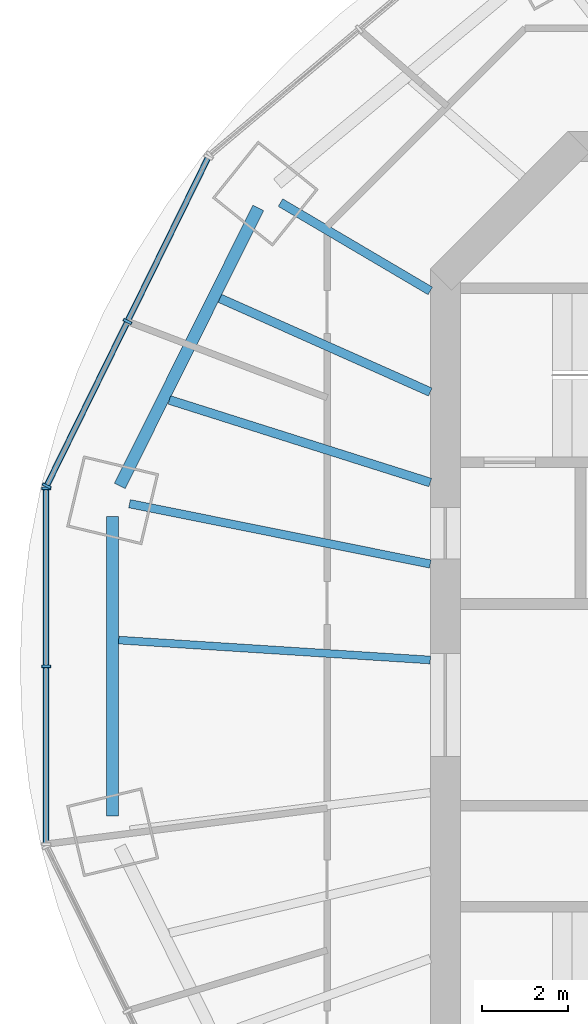
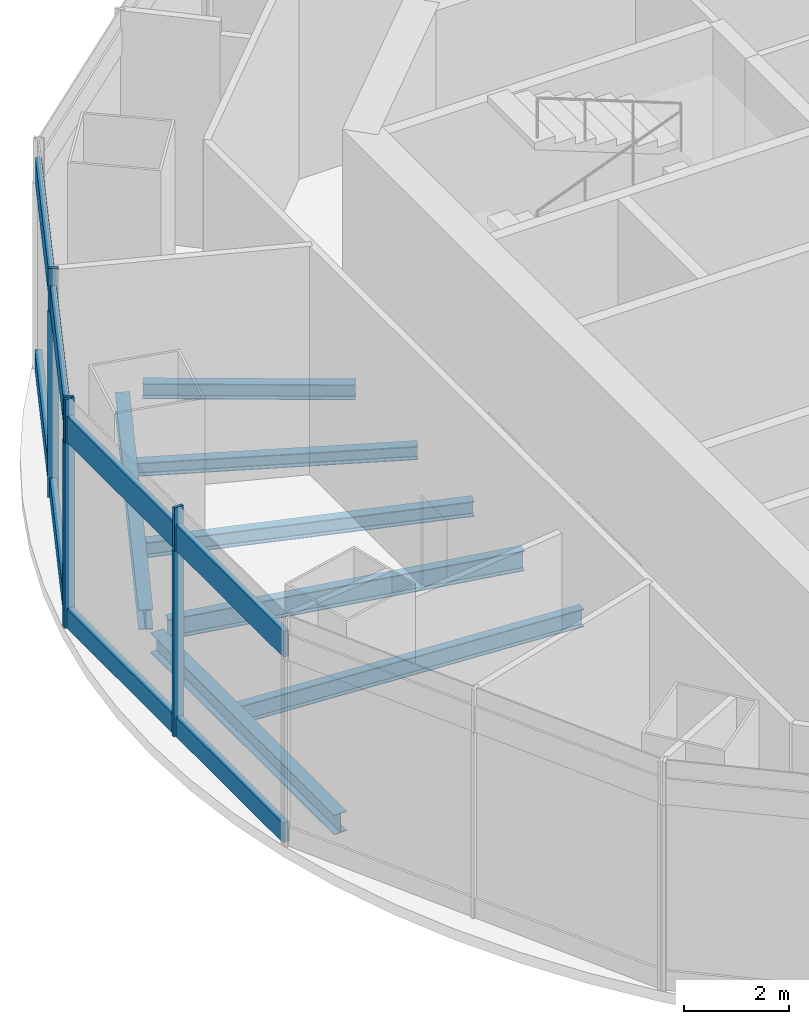
# One storey, part 3 of 13: 12 members, 7 beams, 4 elements without a shape of their own.
"""IFC4 building model written with IfcOpenShell, lengths in metres."""

from ifc_helpers import new_model, si_unit, direction, frame, origin, origin_2d, place, context, subcontext, project, spatial, rectangle, i_section, extrude, material, material_profile, profile_set, type_object, element, aggregate, save


model = new_model("IFC4")

# Units and contexts
model_context = context("Model", 3, precision=1e-05, world=origin(), true_north=direction((0.0, 1.0)))
body_context = subcontext(model_context, "Body", "Model", "MODEL_VIEW")
ifc_project = project(units=[si_unit("LENGTHUNIT", "METRE"), si_unit("AREAUNIT", "SQUARE_METRE"), si_unit("VOLUMEUNIT", "CUBIC_METRE"), si_unit("PLANEANGLEUNIT", "RADIAN"), si_unit("MASSUNIT", "GRAM", prefix="KILO")], contexts=[model_context])

# Site, building, storey
site_placement = place(None, origin())
site = spatial("IfcSite", under=ifc_project, at=site_placement, CompositionType="ELEMENT")
building_placement = place(site_placement, origin())
building = spatial("IfcBuilding", under=site, at=building_placement, Name="Marenthal Gate Tower", CompositionType="ELEMENT")
storey_placement = place(building_placement, frame((0.0, 0.0, 401.949951171875)))
storey = spatial("IfcBuildingStorey", under=building, at=storey_placement, Name="L91", CompositionType="ELEMENT", Elevation=401.949951171875)

# Curtain wall, members
ifc_material_1 = material(Name="Aluminium and glass", Category="aluminium")
curtain_wall_type_1 = type_object("IfcCurtainWallType", Name="Curtain wall crown clad", PredefinedType="NOTDEFINED", material=ifc_material_1)
curtain_wall_1_placement = place(storey_placement, origin())
curtain_wall_1 = element("IfcCurtainWall", 1, at=curtain_wall_1_placement, inside=storey, type_object=curtain_wall_type_1, Name="Curtain wall L91 bay 7 head band", PredefinedType="NOTDEFINED")
ifc_material_2 = material(Name="Aluminium", Category="aluminium")
ifc_material_profile_1 = material_profile(ifc_material_2, rectangle(XDim=0.199951171875, YDim=0.06005859375, at=origin_2d()), Name="60x200 aluminium mullion")
ifc_profile_set_1 = profile_set([ifc_material_profile_1], Name="Aluminium")
member_type_1 = type_object("IfcMemberType", Name="Mullion 60x200 crown clad", PredefinedType="MULLION", material=ifc_profile_set_1)
member_1_placement = place(storey_placement, frame((-23.3974609375, 8.924560546875, 4.300048828125), z_axis=(0.0, 0.0, 1.0), x_axis=(0.897385793576, -0.441246798842, 0.0)))
member_1 = element("IfcMember", 2, at=member_1_placement, type_object=member_type_1, Name="Mullion L91 bay 7.2", PredefinedType="MULLION", context=body_context, shape_type="SweptSolid", body=[
    extrude(rectangle(XDim=0.199951171875, YDim=0.06005859375, at=origin_2d()), origin(), (0.0, 0.0, 1.0), 1.0),
])
member_2_placement = place(storey_placement, frame((-25.279052734375, 5.097900390625, 4.300048828125), z_axis=(0.0, 0.0, 1.0), x_axis=(0.897385793576, -0.441246798842, 0.0)))
member_2 = element("IfcMember", 3, at=member_2_placement, type_object=member_type_1, Name="Mullion L91 bay 7.3", PredefinedType="MULLION", context=body_context, shape_type="SweptSolid", body=[
    extrude(rectangle(XDim=0.199951171875, YDim=0.06005859375, at=origin_2d()), origin(), (0.0, 0.0, 1.0), 1.0),
])

curtain_wall_2_placement = place(storey_placement, origin())
curtain_wall_2 = element("IfcCurtainWall", 4, at=curtain_wall_2_placement, inside=storey, type_object=curtain_wall_type_1, Name="Curtain wall L91 bay 8 head band", PredefinedType="NOTDEFINED")
member_3_placement = place(storey_placement, frame((-25.292236328125, 5.041015625, 4.300048828125), z_axis=(0.0, 0.0, 1.0), x_axis=(1.0, 0.0, 0.0)))
member_3 = element("IfcMember", 5, at=member_3_placement, type_object=member_type_1, Name="Mullion L91 bay 8.1", PredefinedType="MULLION", context=body_context, shape_type="SweptSolid", body=[
    extrude(rectangle(XDim=0.199951171875, YDim=0.06005859375, at=origin_2d()), origin(), (0.0, 0.0, 1.0), 1.0),
])
member_4_placement = place(storey_placement, frame((-25.292236328125, 0.89990234375, 4.300048828125), z_axis=(0.0, 0.0, 1.0), x_axis=(1.0, 0.0, 0.0)))
member_4 = element("IfcMember", 6, at=member_4_placement, type_object=member_type_1, Name="Mullion L91 bay 8.2", PredefinedType="MULLION", context=body_context, shape_type="SweptSolid", body=[
    extrude(rectangle(XDim=0.199951171875, YDim=0.06005859375, at=origin_2d()), origin(), (0.0, 0.0, 1.0), 1.0),
])

ifc_material_3 = material(Name="Aluminium and glass", Category="aluminium")
curtain_wall_type_2 = type_object("IfcCurtainWallType", Name="Curtain wall observation", PredefinedType="NOTDEFINED", material=ifc_material_3)
curtain_wall_3_placement = place(storey_placement, origin())
curtain_wall_3 = element("IfcCurtainWall", 7, at=curtain_wall_3_placement, inside=storey, type_object=curtain_wall_type_2, Name="Curtain wall L91 bay 7", PredefinedType="NOTDEFINED")
ifc_material_4 = material(Name="Aluminium", Category="aluminium")
ifc_material_profile_2 = material_profile(ifc_material_4, rectangle(XDim=0.219970703125, YDim=0.070068359375, at=origin_2d()), Name="70x220 aluminium mullion")
ifc_profile_set_2 = profile_set([ifc_material_profile_2], Name="Aluminium")
member_type_2 = type_object("IfcMemberType", Name="Mullion 70x220 observation", PredefinedType="MULLION", material=ifc_profile_set_2)
member_5_placement = place(storey_placement, frame((-23.3974609375, 8.924560546875, 0.0), z_axis=(0.0, 0.0, 1.0), x_axis=(0.897385793576, -0.441246798842, 0.0)))
member_5 = element("IfcMember", 8, at=member_5_placement, type_object=member_type_2, Name="Mullion L91 bay 7.2", PredefinedType="MULLION", context=body_context, shape_type="SweptSolid", body=[
    extrude(rectangle(XDim=0.219970703125, YDim=0.070068359375, at=origin_2d()), origin(), (0.0, 0.0, 1.0), 4.300048828125),
])
member_6_placement = place(storey_placement, frame((-25.279052734375, 5.097900390625, 0.0), z_axis=(0.0, 0.0, 1.0), x_axis=(0.897385793576, -0.441246798842, 0.0)))
member_6 = element("IfcMember", 9, at=member_6_placement, type_object=member_type_2, Name="Mullion L91 bay 7.3", PredefinedType="MULLION", context=body_context, shape_type="SweptSolid", body=[
    extrude(rectangle(XDim=0.219970703125, YDim=0.070068359375, at=origin_2d()), origin(), (0.0, 0.0, 1.0), 4.300048828125),
])

curtain_wall_4_placement = place(storey_placement, origin())
curtain_wall_4 = element("IfcCurtainWall", 10, at=curtain_wall_4_placement, inside=storey, type_object=curtain_wall_type_2, Name="Curtain wall L91 bay 8", PredefinedType="NOTDEFINED")
member_7_placement = place(storey_placement, frame((-25.292236328125, 5.041015625, 0.0), z_axis=(0.0, 0.0, 1.0), x_axis=(1.0, 0.0, 0.0)))
member_7 = element("IfcMember", 11, at=member_7_placement, type_object=member_type_2, Name="Mullion L91 bay 8.1", PredefinedType="MULLION", context=body_context, shape_type="SweptSolid", body=[
    extrude(rectangle(XDim=0.219970703125, YDim=0.070068359375, at=origin_2d()), origin(), (0.0, 0.0, 1.0), 4.300048828125),
])
member_8_placement = place(storey_placement, frame((-25.292236328125, 0.89990234375, 0.0), z_axis=(0.0, 0.0, 1.0), x_axis=(1.0, 0.0, 0.0)))
member_8 = element("IfcMember", 12, at=member_8_placement, type_object=member_type_2, Name="Mullion L91 bay 8.2", PredefinedType="MULLION", context=body_context, shape_type="SweptSolid", body=[
    extrude(rectangle(XDim=0.219970703125, YDim=0.070068359375, at=origin_2d()), origin(), (0.0, 0.0, 1.0), 4.300048828125),
])

# Member
ifc_material_5 = material(Name="Aluminium", Category="aluminium")
ifc_material_profile_3 = material_profile(ifc_material_5, rectangle(XDim=0.1201171875, YDim=0.60009765625, at=origin_2d()), Name="120x600 aluminium transom")
ifc_profile_set_3 = profile_set([ifc_material_profile_3], Name="Aluminium")
member_type_3 = type_object("IfcMemberType", Name="Transom 120x600 crown clad", PredefinedType="USERDEFINED", material=ifc_profile_set_3)
member_9_placement = place(storey_placement, frame((-21.529296875, 12.724365234375, 4.60009765625), z_axis=(-0.441230221133, -0.897393944686, 0.0), x_axis=(0.897393944686, -0.441230221133, 0.0)))
member_9 = element("IfcMember", 13, at=member_9_placement, type_object=member_type_3, Name="Transom L91 bay 7", ObjectType="TRANSOM", PredefinedType="USERDEFINED", context=body_context, shape_type="SweptSolid", body=[
    extrude(rectangle(XDim=0.1201171875, YDim=0.60009765625, at=origin_2d()), origin(), (0.0, 0.0, 1.0), 8.468505859375),
])

aggregate(curtain_wall_1, [member_1, member_2, member_9])

member_10_placement = place(storey_placement, frame((-25.292236328125, 5.010986328125, 4.60009765625), z_axis=(0.0, -1.0, 0.0), x_axis=(1.0, 0.0, 0.0)))
member_10 = element("IfcMember", 14, at=member_10_placement, type_object=member_type_3, Name="Transom L91 bay 8", ObjectType="TRANSOM", PredefinedType="USERDEFINED", context=body_context, shape_type="SweptSolid", body=[
    extrude(rectangle(XDim=0.1201171875, YDim=0.60009765625, at=origin_2d()), origin(), (0.0, 0.0, 1.0), 8.221923828125),
])

aggregate(curtain_wall_2, [member_3, member_4, member_10])

ifc_material_6 = material(Name="Aluminium", Category="aluminium")
ifc_material_profile_4 = material_profile(ifc_material_6, rectangle(XDim=0.139892578125, YDim=0.449951171875, at=origin_2d()), Name="140x450 aluminium transom")
ifc_profile_set_4 = profile_set([ifc_material_profile_4], Name="Aluminium")
member_type_4 = type_object("IfcMemberType", Name="Transom 140x450 observation", PredefinedType="USERDEFINED", material=ifc_profile_set_4)
member_11_placement = place(storey_placement, frame((-21.531494140625, 12.7197265625, 0.22509765625), z_axis=(-0.441246116327, -0.89738612917, 0.0), x_axis=(0.89738612917, -0.441246116327, 0.0)))
member_11 = element("IfcMember", 15, at=member_11_placement, type_object=member_type_4, Name="Transom L91 bay 7", ObjectType="TRANSOM", PredefinedType="USERDEFINED", context=body_context, shape_type="SweptSolid", body=[
    extrude(rectangle(XDim=0.139892578125, YDim=0.449951171875, at=origin_2d()), origin(), (0.0, 0.0, 1.0), 8.458251953125),
])

aggregate(curtain_wall_3, [member_5, member_6, member_11])

member_12_placement = place(storey_placement, frame((-25.292236328125, 5.006103515625, 0.22509765625), z_axis=(0.0, -1.0, 0.0), x_axis=(1.0, 0.0, 0.0)))
member_12 = element("IfcMember", 16, at=member_12_placement, type_object=member_type_4, Name="Transom L91 bay 8", ObjectType="TRANSOM", PredefinedType="USERDEFINED", context=body_context, shape_type="SweptSolid", body=[
    extrude(rectangle(XDim=0.139892578125, YDim=0.449951171875, at=origin_2d()), origin(), (0.0, 0.0, 1.0), 8.212158203125),
])

aggregate(curtain_wall_4, [member_7, member_8, member_12])

# Beams
ifc_material_7 = material(Name="Steel S355", Category="steel")
ifc_material_profile_5 = material_profile(ifc_material_7, i_section(OverallWidth=0.205078125, OverallDepth=0.31005859375, WebThickness=0.009521484375, FlangeThickness=0.016357421875, FilletRadius=0.0126953125, at=origin_2d()), Name="W310X74")
ifc_profile_set_5 = profile_set([ifc_material_profile_5], Name="Steel S355")
beam_type_1 = type_object("IfcBeamType", Name="W310X74 beam", PredefinedType="BEAM", material=ifc_profile_set_5)
beam_1_placement = place(storey_placement, frame((-21.24609375, 9.46435546875, -0.405029296875), z_axis=(0.913454311323, -0.40694129936, 0.0), x_axis=(0.40694129936, 0.913454311323, 0.0)))
element("IfcBeam", 17, at=beam_1_placement, inside=storey, type_object=beam_type_1, Name="BM-L91-25", PredefinedType="BEAM", context=body_context, shape_type="SweptSolid", body=[
    extrude(i_section(OverallWidth=0.205078125, OverallDepth=0.31005859375, WebThickness=0.009521484375, FlangeThickness=0.016357421875, FilletRadius=0.0126953125, at=origin_2d()), origin(), (0.0, 0.0, 1.0), 5.35986328125),
])
ifc_material_8 = material(Name="Steel S355", Category="steel")
ifc_material_profile_6 = material_profile(ifc_material_8, i_section(OverallWidth=0.205078125, OverallDepth=0.35302734375, WebThickness=0.009521484375, FlangeThickness=0.016845703125, FilletRadius=0.014892578125, at=origin_2d()), Name="W360X79")
ifc_profile_set_6 = profile_set([ifc_material_profile_6], Name="Steel S355")
beam_type_2 = type_object("IfcBeamType", Name="W360X79 beam", PredefinedType="BEAM", material=ifc_profile_set_6)
beam_2_placement = place(storey_placement, frame((-19.836181640625, 11.6923828125, -0.426513671875), z_axis=(0.861470125901, -0.507808253359, 0.0), x_axis=(0.507808253359, 0.861470125901, 0.0)))
element("IfcBeam", 18, at=beam_2_placement, inside=storey, type_object=beam_type_2, Name="BM-L91-07", PredefinedType="BEAM", context=body_context, shape_type="SweptSolid", body=[
    extrude(i_section(OverallWidth=0.205078125, OverallDepth=0.35302734375, WebThickness=0.009521484375, FlangeThickness=0.016845703125, FilletRadius=0.014892578125, at=origin_2d()), origin(), (0.0, 0.0, 1.0), 4.046630859375),
])
beam_3_placement = place(storey_placement, frame((-22.423583984375, 7.099365234375, -0.426513671875), z_axis=(0.953361157609, -0.301831912101, 0.0), x_axis=(0.301831912101, 0.953361157609, 0.0)))
element("IfcBeam", 19, at=beam_3_placement, inside=storey, type_object=beam_type_2, Name="BM-L91-26", PredefinedType="BEAM", context=body_context, shape_type="SweptSolid", body=[
    extrude(i_section(OverallWidth=0.205078125, OverallDepth=0.35302734375, WebThickness=0.009521484375, FlangeThickness=0.016845703125, FilletRadius=0.014892578125, at=origin_2d()), origin(), (0.0, 0.0, 1.0), 6.37060546875),
])
ifc_material_9 = material(Name="Steel S355", Category="steel")
ifc_material_profile_7 = material_profile(ifc_material_9, i_section(OverallWidth=0.180908203125, OverallDepth=0.4169921875, WebThickness=0.010986328125, FlangeThickness=0.018310546875, FilletRadius=0.01025390625, at=origin_2d()), Name="W410X85")
ifc_profile_set_7 = profile_set([ifc_material_profile_7], Name="Steel S355")
beam_type_3 = type_object("IfcBeamType", Name="W410X85 beam", PredefinedType="BEAM", material=ifc_profile_set_7)
beam_4_placement = place(storey_placement, frame((-23.603271484375, 1.509033203125, -0.45849609375), z_axis=(0.99796335408, -0.063789841778, 0.0), x_axis=(0.063789841778, 0.99796335408, 0.0)))
element("IfcBeam", 20, at=beam_4_placement, inside=storey, type_object=beam_type_3, Name="BM-L91-27", PredefinedType="BEAM", context=body_context, shape_type="SweptSolid", body=[
    extrude(i_section(OverallWidth=0.180908203125, OverallDepth=0.4169921875, WebThickness=0.010986328125, FlangeThickness=0.018310546875, FilletRadius=0.01025390625, at=origin_2d()), origin(), (0.0, 0.0, 1.0), 7.26806640625),
])
ifc_material_10 = material(Name="Steel S355", Category="steel")
ifc_material_profile_8 = material_profile(ifc_material_10, i_section(OverallWidth=0.279052734375, OverallDepth=0.4619140625, WebThickness=0.0107421875, FlangeThickness=0.017333984375, FilletRadius=0.010009765625, at=origin_2d()), Name="W460X113")
ifc_profile_set_8 = profile_set([ifc_material_profile_8], Name="Steel S355")
beam_type_4 = type_object("IfcBeamType", Name="W460X113 beam", PredefinedType="BEAM", material=ifc_profile_set_8)
beam_5_placement = place(storey_placement, frame((-20.35400390625, 11.569091796875, -0.48095703125), z_axis=(-0.445686804831, -0.895188958824, 0.0), x_axis=(0.895188958824, -0.445686804831, 0.0)))
element("IfcBeam", 21, at=beam_5_placement, inside=storey, type_object=beam_type_4, Name="BM-L91-44", PredefinedType="BEAM", context=body_context, shape_type="SweptSolid", body=[
    extrude(i_section(OverallWidth=0.279052734375, OverallDepth=0.4619140625, WebThickness=0.0107421875, FlangeThickness=0.017333984375, FilletRadius=0.010009765625, at=origin_2d()), origin(), (0.0, 0.0, 1.0), 7.230712890625),
])
beam_6_placement = place(storey_placement, frame((-23.74267578125, 4.388916015625, -0.48095703125), z_axis=(0.0, -1.0, 0.0), x_axis=(1.0, 0.0, 0.0)))
element("IfcBeam", 22, at=beam_6_placement, inside=storey, type_object=beam_type_4, Name="BM-L91-45", PredefinedType="BEAM", context=body_context, shape_type="SweptSolid", body=[
    extrude(i_section(OverallWidth=0.279052734375, OverallDepth=0.4619140625, WebThickness=0.0107421875, FlangeThickness=0.017333984375, FilletRadius=0.010009765625, at=origin_2d()), origin(), (0.0, 0.0, 1.0), 6.977783203125),
])
ifc_material_11 = material(Name="Steel S355", Category="steel")
ifc_material_profile_9 = material_profile(ifc_material_11, i_section(OverallWidth=0.193115234375, OverallDepth=0.467041015625, WebThickness=0.011474609375, FlangeThickness=0.01904296875, FilletRadius=0.010009765625, at=origin_2d()), Name="W460X97")
ifc_profile_set_9 = profile_set([ifc_material_profile_9], Name="Steel S355")
beam_type_5 = type_object("IfcBeamType", Name="W460X97 beam", PredefinedType="BEAM", material=ifc_profile_set_9)
beam_7_placement = place(storey_placement, frame((-23.349853515625, 4.68408203125, -0.4833984375), z_axis=(0.980463441902, -0.196701395759, 0.0), x_axis=(0.196701395759, 0.980463441902, 0.0)))
element("IfcBeam", 23, at=beam_7_placement, inside=storey, type_object=beam_type_5, Name="BM-L91-08", PredefinedType="BEAM", context=body_context, shape_type="SweptSolid", body=[
    extrude(i_section(OverallWidth=0.193115234375, OverallDepth=0.467041015625, WebThickness=0.011474609375, FlangeThickness=0.01904296875, FilletRadius=0.010009765625, at=origin_2d()), origin(), (0.0, 0.0, 1.0), 7.13916015625),
])

save(model, "model.ifc")
